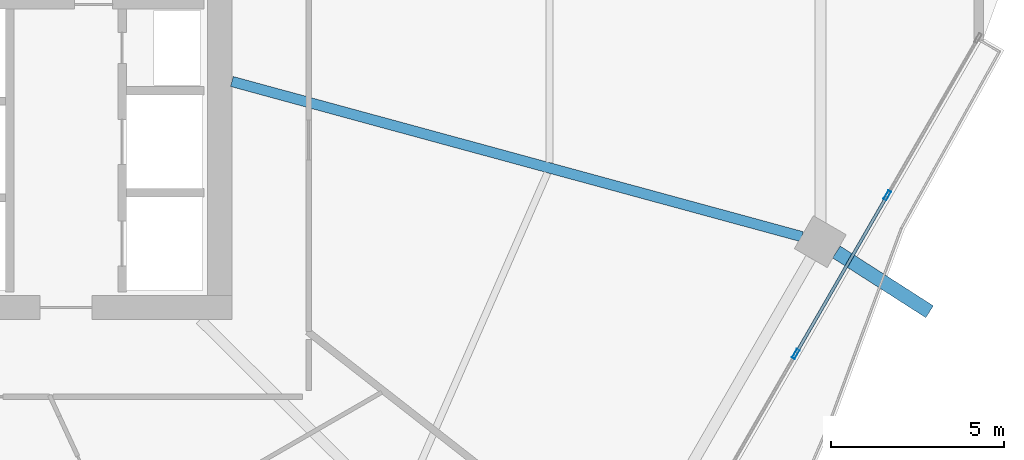
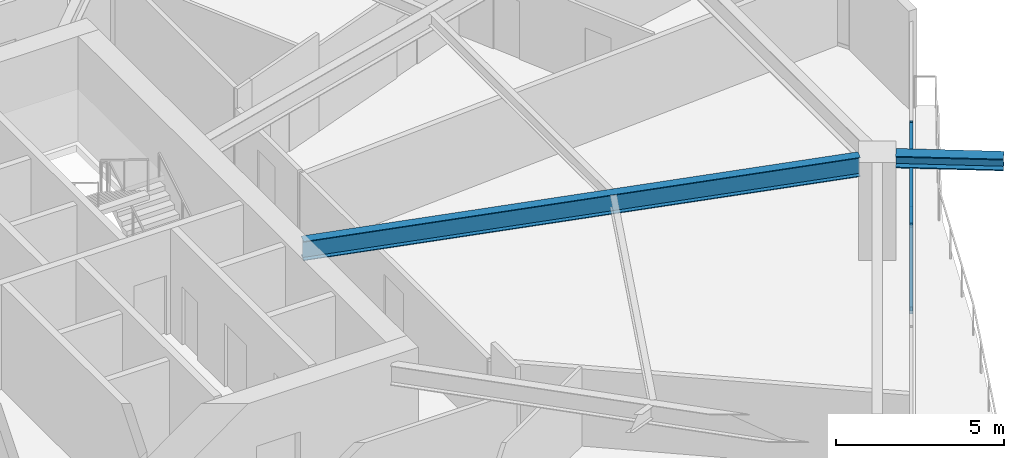
# One storey, part 11 of 33: 4 members, 2 beams, 1 element without a shape of its own.
"""IFC4 building model written with IfcOpenShell, lengths in metres."""

import ifcopenshell
import ifcopenshell.guid

model = None  # the IFC model being written
_history = None  # IfcOwnerHistory: only IFC2X3 demands one
_inside = {}  # id of a spatial element -> (the spatial element, [elements in it])
_under = {}  # id of a project, library or spatial element -> (it, [spatial elements below it])
_declared = {}  # id of a project -> (the project, [libraries it declares])
_typed = {}  # id of a type object -> (the type object, [elements of that type])
_made_of = {}  # id of a material, layer set ... -> (it, [elements and type objects made of it])


def new_model(schema):
    """Start an empty IFC model of exactly this schema.

    Asked for "IFC4X3", IfcOpenShell would pick the latest addendum, in which some entities
    have other attributes; the version numbers below select the first issue.
    IFC2X3 requires an IfcOwnerHistory on every rooted entity: one is made here for all.
    """
    global model, _history
    if schema == "IFC4X3":
        model = ifcopenshell.file(schema_version=(4, 3, 0, 0))
    else:
        model = ifcopenshell.file(schema=schema)
    _inside.clear()
    _under.clear()
    _declared.clear()
    _typed.clear()
    _made_of.clear()
    _history = None
    if model.schema == "IFC2X3":
        org = make("IfcOrganization", Name="unknown")
        user = make(
            "IfcPersonAndOrganization",
            ThePerson=make("IfcPerson", FamilyName="unknown"),
            TheOrganization=org,
        )
        app = make(
            "IfcApplication",
            ApplicationDeveloper=org,
            Version="unknown",
            ApplicationFullName="unknown",
            ApplicationIdentifier="unknown",
        )
        _history = make(
            "IfcOwnerHistory",
            OwningUser=user,
            OwningApplication=app,
            ChangeAction="ADDED",
            CreationDate=0,
        )
    return model


def make(cls, **values):
    """One entity of the class cls with the attributes given. An attribute that is None is left unset."""
    return model.create_entity(
        cls, **{name: value for name, value in values.items() if value is not None}
    )


def rooted(cls, **values):
    """An entity with a GlobalId (a new one), such as an element, a storey or a relation."""
    return make(cls, GlobalId=ifcopenshell.guid.new(), OwnerHistory=_history, **values)


def si_unit(unit_type, name, prefix=None):
    """IfcSIUnit, for example si_unit("LENGTHUNIT", "METRE", prefix="MILLI")."""
    return make("IfcSIUnit", UnitType=unit_type, Prefix=prefix, Name=name)


def assignment(units):
    """IfcUnitAssignment: the units of a project."""
    return None if units is None else make("IfcUnitAssignment", Units=units)


def point(xyz):
    """IfcCartesianPoint."""
    return None if xyz is None else make("IfcCartesianPoint", Coordinates=xyz)


def direction(xyz):
    """IfcDirection."""
    return None if xyz is None else make("IfcDirection", DirectionRatios=xyz)


def frame(location, z_axis=None, x_axis=None):
    """IfcAxis2Placement3D, a coordinate frame: its origin and axes. An axis left out is left unset."""
    return make(
        "IfcAxis2Placement3D",
        Location=point(location),
        Axis=direction(z_axis),
        RefDirection=direction(x_axis),
    )


def frame_2d(location, x_axis=None):
    """IfcAxis2Placement2D, a coordinate frame in the plane: its origin and x axis."""
    return make(
        "IfcAxis2Placement2D", Location=point(location), RefDirection=direction(x_axis)
    )


def origin():
    """The frame at (0, 0, 0) with its axes left unset."""
    return frame((0.0, 0.0, 0.0))


def origin_2d():
    """The frame at (0, 0) in the plane with its x axis left unset."""
    return frame_2d((0.0, 0.0))


def place(relative_to, where):
    """IfcLocalPlacement: puts the frame where relative to a parent placement (None: the world)."""
    return make(
        "IfcLocalPlacement", PlacementRelTo=relative_to, RelativePlacement=where
    )


def context(
    kind, dimensions, precision=None, world=None, true_north=None, identifier=None
):
    """IfcGeometricRepresentationContext, for example the 3D "Model" context."""
    return make(
        "IfcGeometricRepresentationContext",
        ContextIdentifier=identifier,
        ContextType=kind,
        CoordinateSpaceDimension=dimensions,
        Precision=precision,
        WorldCoordinateSystem=world,
        TrueNorth=true_north,
    )


def subcontext(parent, identifier, kind, view, scale=None):
    """IfcGeometricRepresentationSubContext, for example "Body" below "Model"."""
    return make(
        "IfcGeometricRepresentationSubContext",
        ContextIdentifier=identifier,
        ContextType=kind,
        ParentContext=parent,
        TargetScale=scale,
        TargetView=view,
    )


def project(units=None, contexts=None):
    """IfcProject with its units and contexts."""
    return rooted(
        "IfcProject",
        Name="project",
        RepresentationContexts=contexts,
        UnitsInContext=assignment(units),
    )


def spatial(cls, under=None, at=None, **own):
    """A site, building, storey or space (cls), placed at a placement, below another one or the project."""
    s = rooted(cls, ObjectPlacement=at, **own)
    if under is not None:
        _under.setdefault(under.id(), (under, []))[1].append(s)
    return s


def profile(cls, at=None, kind="AREA", **sizes):
    """A parametric profile (cls). Its sizes go by their IFC names, for example OverallWidth=200.0."""
    return make(cls, ProfileType=kind, Position=at, **sizes)


def hollow_rectangle(**sizes):
    """IfcRectangleHollowProfileDef."""
    return profile("IfcRectangleHollowProfileDef", **sizes)


def i_section(**sizes):
    """IfcIShapeProfileDef."""
    return profile("IfcIShapeProfileDef", **sizes)


def extrude(swept, where, along, depth):
    """IfcExtrudedAreaSolid: the profile swept, set in the frame where, extruded along a direction by depth."""
    return make(
        "IfcExtrudedAreaSolid",
        SweptArea=swept,
        Position=where,
        ExtrudedDirection=direction(along),
        Depth=depth,
    )


def shape(context_of_items, identifier, shape_type, items):
    """IfcShapeRepresentation: the items that make up one representation, for example the "Body"."""
    return make(
        "IfcShapeRepresentation",
        ContextOfItems=context_of_items,
        RepresentationIdentifier=identifier,
        RepresentationType=shape_type,
        Items=items,
    )


def material(Name=None, Category=None):
    """IfcMaterial."""
    return make("IfcMaterial", Name=Name, Category=Category)


def material_profile(
    of_material, cross_section, Name=None, Category=None, Priority=None
):
    """IfcMaterialProfile: a cross section and its material."""
    return make(
        "IfcMaterialProfile",
        Name=Name,
        Material=of_material,
        Profile=cross_section,
        Priority=Priority,
        Category=Category,
    )


def profile_set(profiles, Name=None, composite=None):
    """IfcMaterialProfileSet."""
    return make(
        "IfcMaterialProfileSet",
        Name=Name,
        MaterialProfiles=profiles,
        CompositeProfile=composite,
    )


def made_of(thing, what):
    """Note that an element or type object is made of a material, layer set ...; save() writes the relation."""
    if what is not None:
        _made_of.setdefault(what.id(), (what, []))[1].append(thing)
    return thing


def type_object(cls, material=None, **own):
    """A type object (cls), such as IfcWallType, which elements share."""
    return made_of(rooted(cls, **own), material)


def element(
    cls,
    number,
    at=None,
    inside=None,
    cuts=None,
    type_object=None,
    material=None,
    context=None,
    identifier="Body",
    shape_type=None,
    held_by="IfcProductDefinitionShape",
    body=None,
    shapes=None,
    **own,
):
    """One element of the class cls, such as IfcWall. Its Tag is "e" and its number.

    at: its placement. inside: the storey or other place that contains it. cuts: it is an
    opening in that element (IfcRelVoidsElement). A single representation is given by context,
    identifier, shape_type and body (its items); several are given by shapes. held_by: the class
    of the entity that holds the representations. save() writes the other relations.
    """
    e = rooted(cls, Tag="e%d" % number, ObjectPlacement=at, **own)
    if body is not None:
        shapes = [shape(context, identifier, shape_type, body)]
    if shapes is not None:
        e.Representation = make(held_by, Representations=shapes)
    if inside is not None:
        _inside.setdefault(inside.id(), (inside, []))[1].append(e)
    if cuts is not None:
        rooted(
            "IfcRelVoidsElement", RelatingBuildingElement=cuts, RelatedOpeningElement=e
        )
    if type_object is not None:
        _typed.setdefault(type_object.id(), (type_object, []))[1].append(e)
    return made_of(e, material)


def aggregate(whole, parts):
    """IfcRelAggregates: a whole, such as a stair, and the parts it consists of."""
    return rooted("IfcRelAggregates", RelatingObject=whole, RelatedObjects=parts)


def save(model, path):
    """Write the relations noted so far, then the file.

    IfcRelAggregates (storeys below a building ...), IfcRelContainedInSpatialStructure (elements
    in a storey), IfcRelDefinesByType, IfcRelAssociatesMaterial and IfcRelDeclares: one each for
    every whole, place, type object, material and project.
    """
    for whole, parts in _under.values():
        aggregate(whole, parts)
    for where, things in _inside.values():
        rooted(
            "IfcRelContainedInSpatialStructure",
            RelatedElements=things,
            RelatingStructure=where,
        )
    for kind, things in _typed.values():
        rooted("IfcRelDefinesByType", RelatedObjects=things, RelatingType=kind)
    for what, things in _made_of.values():
        rooted("IfcRelAssociatesMaterial", RelatedObjects=things, RelatingMaterial=what)
    for by, libraries in _declared.values():
        rooted("IfcRelDeclares", RelatingContext=by, RelatedDefinitions=libraries)
    model.write(path)


model = new_model("IFC4")

# Units and contexts
model_context = context("Model", 3, precision=1e-05, world=origin(), true_north=direction((0.0, 1.0)))
body_context = subcontext(model_context, "Body", "Model", "MODEL_VIEW")
ifc_project = project(units=[si_unit("LENGTHUNIT", "METRE"), si_unit("AREAUNIT", "SQUARE_METRE"), si_unit("VOLUMEUNIT", "CUBIC_METRE"), si_unit("PLANEANGLEUNIT", "RADIAN"), si_unit("MASSUNIT", "GRAM", prefix="KILO")], contexts=[model_context])

# Site, building, storey
site_placement = place(None, origin())
site = spatial("IfcSite", under=ifc_project, at=site_placement, CompositionType="ELEMENT")
building_placement = place(site_placement, origin())
building = spatial("IfcBuilding", under=site, at=building_placement, Name="Zuhravey Tower", CompositionType="ELEMENT")
storey_placement = place(building_placement, frame((0.0, 0.0, 96.199951171875)))
storey = spatial("IfcBuildingStorey", under=building, at=storey_placement, Name="L23", CompositionType="ELEMENT", Elevation=96.199951171875)

# Curtain wall, members
ifc_material_1 = material(Name="Thermally broken anodised aluminium", Category="aluminium")
curtain_wall_type = type_object("IfcCurtainWallType", Name="Zone 1-2 Residential Curtain Wall CW3", PredefinedType="NOTDEFINED", material=ifc_material_1)
curtain_wall_placement = place(storey_placement, origin())
curtain_wall = element("IfcCurtainWall", 1, at=curtain_wall_placement, inside=storey, type_object=curtain_wall_type, Name="L23 CW3 CW-L23-F6-1", PredefinedType="NOTDEFINED")
ifc_material_2 = material(Name="Anodised aluminium", Category="aluminium")
ifc_material_profile_1 = material_profile(ifc_material_2, hollow_rectangle(XDim=0.090087890625, YDim=0.284912109375, WallThickness=0.0048828125, at=origin_2d()), Name="ALU-RHS-90x285x5")
ifc_profile_set_1 = profile_set([ifc_material_profile_1], Name="Anodised aluminium")
member_type_1 = type_object("IfcMemberType", Name="Curtain-Wall Mullion 90x180", PredefinedType="MULLION", material=ifc_profile_set_1)
member_1_placement = place(storey_placement, frame((65.828125, 25.746826171875, 0.0), z_axis=(0.0, 0.0, 1.0), x_axis=(0.866025304676, -0.500000171661, 0.0)))
member_1 = element("IfcMember", 2, at=member_1_placement, type_object=member_type_1, Name="CW3 mullion 2", PredefinedType="MULLION", context=body_context, shape_type="SweptSolid", body=[
    extrude(hollow_rectangle(XDim=0.090087890625, YDim=0.284912109375, WallThickness=0.0048828125, at=origin_2d()), origin(), (0.0, 0.0, 1.0), 3.1220703125),
])
member_2_placement = place(storey_placement, frame((63.177734375, 21.15625, 0.0), z_axis=(0.0, 0.0, 1.0), x_axis=(0.866025304676, -0.500000171661, 0.0)))
member_2 = element("IfcMember", 3, at=member_2_placement, type_object=member_type_1, Name="CW3 mullion 3", PredefinedType="MULLION", context=body_context, shape_type="SweptSolid", body=[
    extrude(hollow_rectangle(XDim=0.090087890625, YDim=0.284912109375, WallThickness=0.0048828125, at=origin_2d()), origin(), (0.0, 0.0, 1.0), 3.1220703125),
])
ifc_material_profile_2 = material_profile(ifc_material_2, hollow_rectangle(XDim=0.090087890625, YDim=0.14990234375, WallThickness=0.0048828125, at=origin_2d()), Name="ALU-RHS-90x150x5")
ifc_profile_set_2 = profile_set([ifc_material_profile_2], Name="Anodised aluminium")
member_type_2 = type_object("IfcMemberType", Name="Curtain-Wall Transom 90x150", PredefinedType="USERDEFINED", material=ifc_profile_set_2)
member_3_placement = place(storey_placement, frame((65.8056640625, 25.707763671875, 0.045166015625), z_axis=(-0.500009052715, -0.866020177134, 0.0), x_axis=(0.866020177134, -0.500009052715, 0.0)))
member_3 = element("IfcMember", 4, at=member_3_placement, type_object=member_type_2, Name="CW3 transom 2.1", ObjectType="TRANSOM", PredefinedType="USERDEFINED", context=body_context, shape_type="SweptSolid", body=[
    extrude(hollow_rectangle(XDim=0.090087890625, YDim=0.14990234375, WallThickness=0.0048828125, at=origin_2d()), origin(), (0.0, 0.0, 1.0), 5.2109375),
])
member_4_placement = place(storey_placement, frame((65.8056640625, 25.707763671875, 3.0771484375), z_axis=(-0.500009052715, -0.866020177134, 0.0), x_axis=(0.866020177134, -0.500009052715, 0.0)))
member_4 = element("IfcMember", 5, at=member_4_placement, type_object=member_type_2, Name="CW3 transom 2.2", ObjectType="TRANSOM", PredefinedType="USERDEFINED", context=body_context, shape_type="SweptSolid", body=[
    extrude(hollow_rectangle(XDim=0.090087890625, YDim=0.14990234375, WallThickness=0.0048828125, at=origin_2d()), origin(), (0.0, 0.0, 1.0), 5.2109375),
])
aggregate(curtain_wall, [member_1, member_2, member_3, member_4])

# Beams
ifc_material_3 = material(Name="Steel SM460", Category="steel")
ifc_material_profile_3 = material_profile(ifc_material_3, i_section(OverallWidth=0.406982421875, OverallDepth=0.427978515625, WebThickness=0.02001953125, FlangeThickness=0.034912109375, at=origin_2d()), Name="H-428x407x20x35")
ifc_profile_set_3 = profile_set([ifc_material_profile_3], Name="Steel SM460")
beam_type_1 = type_object("IfcBeamType", Name="Exoskeleton Node Tie Beam H428x407", PredefinedType="BEAM", material=ifc_profile_set_3)
beam_1_placement = place(storey_placement, frame((64.35595703125, 24.10888671875, 3.3359375), z_axis=(0.841742425164, -0.539879328812, 0.0), x_axis=(0.539879328812, 0.841742425164, 0.0)))
element("IfcBeam", 6, at=beam_1_placement, inside=storey, type_object=beam_type_1, Name="L23 Exoskeleton Node Tie NT1-12", PredefinedType="BEAM", context=body_context, shape_type="SweptSolid", body=[
    extrude(i_section(OverallWidth=0.406982421875, OverallDepth=0.427978515625, WebThickness=0.02001953125, FlangeThickness=0.034912109375, at=origin_2d()), origin(), (0.0, 0.0, 1.0), 3.204345703125),
])
ifc_material_4 = material(Name="Steel SM355", Category="steel")
ifc_material_profile_4 = material_profile(ifc_material_4, i_section(OverallWidth=0.300048828125, OverallDepth=0.699951171875, WebThickness=0.012939453125, FlangeThickness=0.02392578125, at=origin_2d()), Name="H-700x300x13x24")
ifc_profile_set_4 = profile_set([ifc_material_profile_4], Name="Steel SM355")
beam_type_2 = type_object("IfcBeamType", Name="Radial Primary Girder H700x300", PredefinedType="BEAM", material=ifc_profile_set_4)
beam_2_placement = place(storey_placement, frame((46.85302734375, 29.045654296875, 3.199951171875), z_axis=(0.964893166225, -0.262642680791, 0.0), x_axis=(0.262642680791, 0.964893166225, 0.0)))
element("IfcBeam", 7, at=beam_2_placement, inside=storey, type_object=beam_type_2, Name="L23 RG1 BM-L23-RAD-12", PredefinedType="BEAM", context=body_context, shape_type="SweptSolid", body=[
    extrude(i_section(OverallWidth=0.300048828125, OverallDepth=0.699951171875, WebThickness=0.012939453125, FlangeThickness=0.02392578125, at=origin_2d()), origin(), (0.0, 0.0, 1.0), 17.102783203125),
])

save(model, "model.ifc")
